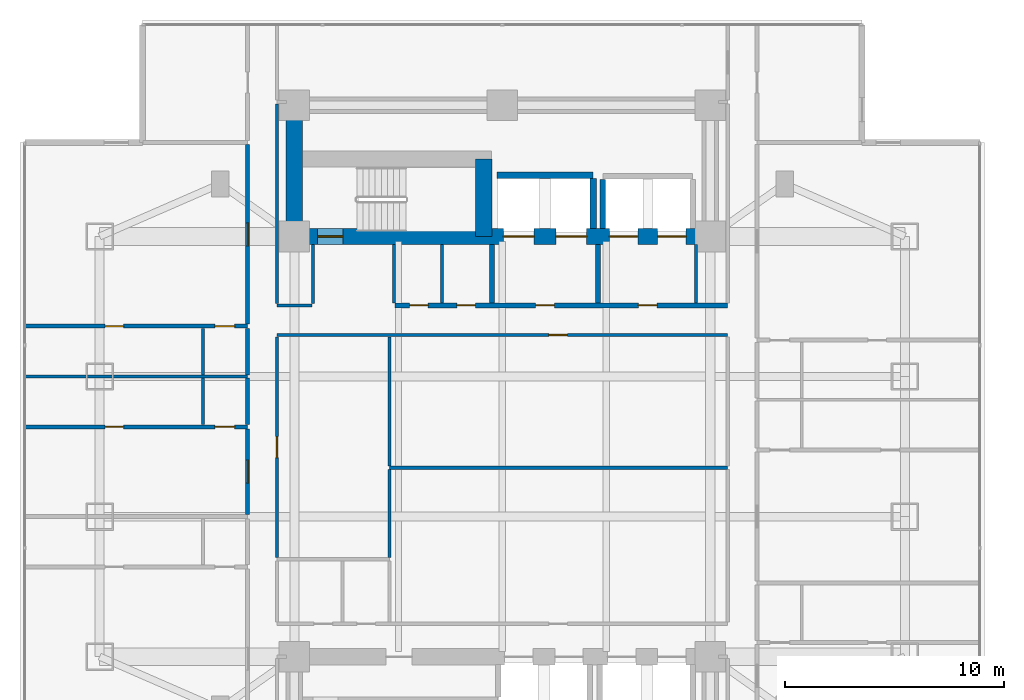
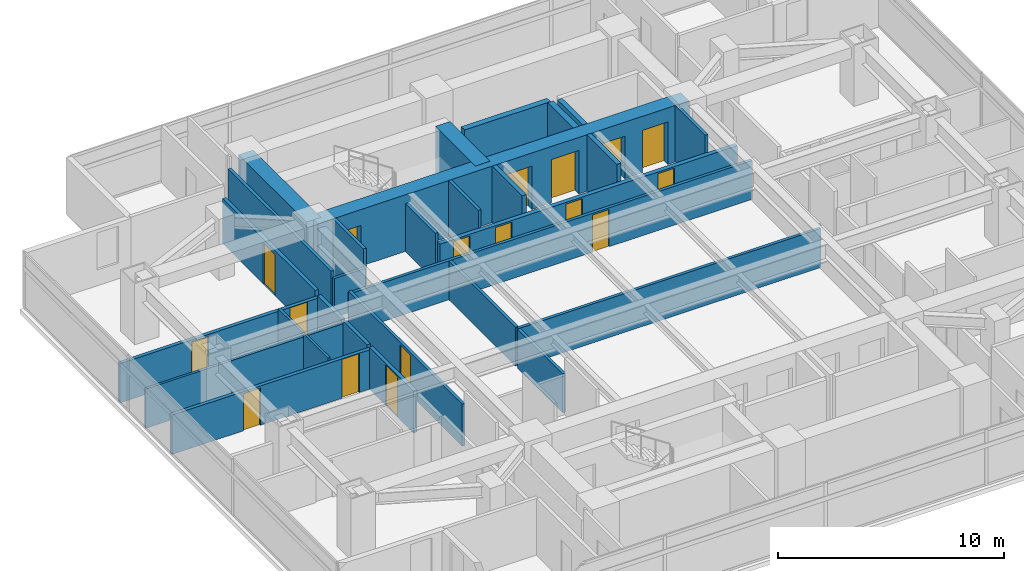
# One storey, part 14 of 25: 29 walls, 17 doors, 17 openings.
"""IFC4 building model written with IfcOpenShell, lengths in metres."""

from ifc_helpers import new_model, si_unit, direction, frame, frame_2d, origin, place, context, subcontext, project, spatial, rectangle, extrude, material, layer, layer_set, type_object, element, fill, save


model = new_model("IFC4")

# Units and contexts
model_context = context("Model", 3, precision=1e-05, world=origin(), true_north=direction((0.0, 1.0)))
body_context = subcontext(model_context, "Body", "Model", "MODEL_VIEW")
ifc_project = project(units=[si_unit("LENGTHUNIT", "METRE"), si_unit("AREAUNIT", "SQUARE_METRE"), si_unit("VOLUMEUNIT", "CUBIC_METRE"), si_unit("PLANEANGLEUNIT", "RADIAN"), si_unit("MASSUNIT", "GRAM", prefix="KILO")], contexts=[model_context])

# Site, building, storey
site_placement = place(None, origin())
site = spatial("IfcSite", under=ifc_project, at=site_placement, CompositionType="ELEMENT")
building_placement = place(site_placement, origin())
building = spatial("IfcBuilding", under=site, at=building_placement, Name="Mirazonda Arch Towers", CompositionType="ELEMENT")
storey_placement = place(building_placement, frame((0.0, 0.0, 32.300048828125)))
storey = spatial("IfcBuildingStorey", under=building, at=storey_placement, Name="L08", CompositionType="ELEMENT", Elevation=32.300048828125)

# Wall
ifc_material_1 = material(Name="Concrete C60/75", Category="concrete")
ifc_layer_1 = layer(ifc_material_1, 0.75, Name="WALL-CORE-750")
ifc_layer_set_1 = layer_set([ifc_layer_1], Name="Concrete C60/75")
wall_type_1 = type_object("IfcWallType", Name="WALL-CORE-750", PredefinedType="SHEAR", material=ifc_layer_set_1)
wall_1_placement = place(storey_placement, frame((11.0, 37.60009765625, 0.0), z_axis=(0.0, 0.0, 1.0), x_axis=(0.0, 1.0, 0.0)))
element("IfcWall", 1, at=wall_1_placement, inside=storey, type_object=wall_type_1, Name="L08 T1N-W Core Shear Wall", PredefinedType="SHEAR", context=body_context, shape_type="SweptSolid", body=[
    extrude(rectangle(XDim=6.0, YDim=0.75, at=frame_2d((3.0, 0.0))), origin(), (0.0, 0.0, 1.0), 3.06005859375),
])

# Wall, openings, doors
wall_2_placement = place(storey_placement, frame((11.0, 37.60009765625, 0.0), z_axis=(0.0, 0.0, 1.0), x_axis=(1.0, 0.0, 0.0)))
wall_2 = element("IfcWall", 2, at=wall_2_placement, inside=storey, type_object=wall_type_1, Name="L08 T1N-S Core Shear Wall", PredefinedType="SHEAR", context=body_context, shape_type="SweptSolid", body=[
    extrude(rectangle(XDim=19.0, YDim=0.75, at=frame_2d((9.5, 0.0))), origin(), (0.0, 0.0, 1.0), 3.06005859375),
])
opening_1_placement = place(wall_2_placement, frame((1.06005859375, 0.0, 0.0)))
opening_1 = element("IfcOpeningElement", 3, at=opening_1_placement, cuts=wall_2, Name="Opening DR-135", PredefinedType="OPENING", context=body_context, shape_type="SweptSolid", body=[
    extrude(rectangle(XDim=1.14990234375, YDim=2.199951171875, at=frame_2d((0.574951171875, 1.10009765625))), frame((0.0, 0.385009765625, 0.0), z_axis=(0.0, -1.0, 0.0), x_axis=(1.0, 0.0, 0.0)), (0.0, 0.0, 1.0), 0.77001953125),
])
opening_2_placement = place(wall_2_placement, frame((9.550048828125, 0.0, 0.0)))
opening_2 = element("IfcOpeningElement", 4, at=opening_2_placement, cuts=wall_2, Name="Opening LD-112", PredefinedType="OPENING", context=body_context, shape_type="SweptSolid", body=[
    extrude(rectangle(XDim=1.39990234375, YDim=2.35009765625, at=frame_2d((0.699951171875, 1.175048828125))), frame((0.0, 0.385009765625, 0.0), z_axis=(0.0, -1.0, 0.0), x_axis=(1.0, 0.0, 0.0)), (0.0, 0.0, 1.0), 0.77001953125),
])
opening_3_placement = place(wall_2_placement, frame((11.949951171875, 0.0, 0.0)))
opening_3 = element("IfcOpeningElement", 5, at=opening_3_placement, cuts=wall_2, Name="Opening LD-112", PredefinedType="OPENING", context=body_context, shape_type="SweptSolid", body=[
    extrude(rectangle(XDim=1.39990234375, YDim=2.35009765625, at=frame_2d((0.699951171875, 1.175048828125))), frame((0.0, 0.385009765625, 0.0), z_axis=(0.0, -1.0, 0.0), x_axis=(1.0, 0.0, 0.0)), (0.0, 0.0, 1.0), 0.77001953125),
])
opening_4_placement = place(wall_2_placement, frame((14.39990234375, 0.0, 0.0)))
opening_4 = element("IfcOpeningElement", 6, at=opening_4_placement, cuts=wall_2, Name="Opening LD-111", PredefinedType="OPENING", context=body_context, shape_type="SweptSolid", body=[
    extrude(rectangle(XDim=1.300048828125, YDim=2.300048828125, at=frame_2d((0.64990234375, 1.14990234375))), frame((0.0, 0.385009765625, 0.0), z_axis=(0.0, -1.0, 0.0), x_axis=(1.0, 0.0, 0.0)), (0.0, 0.0, 1.0), 0.77001953125),
])
opening_5_placement = place(wall_2_placement, frame((16.60009765625, 0.0, 0.0)))
opening_5 = element("IfcOpeningElement", 7, at=opening_5_placement, cuts=wall_2, Name="Opening LD-111", PredefinedType="OPENING", context=body_context, shape_type="SweptSolid", body=[
    extrude(rectangle(XDim=1.300048828125, YDim=2.300048828125, at=frame_2d((0.64990234375, 1.14990234375))), frame((0.0, 0.385009765625, 0.0), z_axis=(0.0, -1.0, 0.0), x_axis=(1.0, 0.0, 0.0)), (0.0, 0.0, 1.0), 0.77001953125),
])
ifc_material_2 = material(Name="Architectural Brushed Steel S355", Category="steel")
door_type_1 = type_object("IfcDoorType", Name="DOOR-LIFT-FFL-1400", OperationType="NOTDEFINED", PredefinedType="DOOR", material=ifc_material_2)
door_1_placement = place(opening_2_placement, origin())
door_1 = element("IfcDoor", 8, at=door_1_placement, inside=storey, type_object=door_type_1, Name="L08 Lift Landing Sliding Door FFL-T1", OperationType="DOUBLE_DOOR_SLIDING", OverallHeight=2.35009765625, OverallWidth=1.39990234375, PredefinedType="DOOR", context=body_context, shape_type="SweptSolid", body=[
    extrude(rectangle(XDim=1.39990234375, YDim=2.35009765625, at=frame_2d((0.699951171875, 1.175048828125))), frame((0.0, 0.02490234375, 0.0), z_axis=(0.0, -1.0, 0.0), x_axis=(1.0, 0.0, 0.0)), (0.0, 0.0, 1.0), 0.050048828125),
])
fill(opening_2, door_1)
door_2_placement = place(opening_3_placement, origin())
door_2 = element("IfcDoor", 9, at=door_2_placement, inside=storey, type_object=door_type_1, Name="L08 Lift Landing Sliding Door SVL-T1", OperationType="DOUBLE_DOOR_SLIDING", OverallHeight=2.35009765625, OverallWidth=1.39990234375, PredefinedType="DOOR", context=body_context, shape_type="SweptSolid", body=[
    extrude(rectangle(XDim=1.39990234375, YDim=2.35009765625, at=frame_2d((0.699951171875, 1.175048828125))), frame((0.0, 0.02490234375, 0.0), z_axis=(0.0, -1.0, 0.0), x_axis=(1.0, 0.0, 0.0)), (0.0, 0.0, 1.0), 0.050048828125),
])
fill(opening_3, door_2)
door_type_2 = type_object("IfcDoorType", Name="DOOR-LIFT-LAND-1300", OperationType="NOTDEFINED", PredefinedType="DOOR", material=ifc_material_2)
door_3_placement = place(opening_4_placement, origin())
door_3 = element("IfcDoor", 10, at=door_3_placement, inside=storey, type_object=door_type_2, Name="L08 Lift Landing Sliding Door PL-T1L1", OperationType="DOUBLE_DOOR_SLIDING", OverallHeight=2.300048828125, OverallWidth=1.300048828125, PredefinedType="DOOR", context=body_context, shape_type="SweptSolid", body=[
    extrude(rectangle(XDim=1.300048828125, YDim=2.300048828125, at=frame_2d((0.64990234375, 1.14990234375))), frame((0.0, 0.02490234375, 0.0), z_axis=(0.0, -1.0, 0.0), x_axis=(1.0, 0.0, 0.0)), (0.0, 0.0, 1.0), 0.050048828125),
])
fill(opening_4, door_3)
door_4_placement = place(opening_5_placement, origin())
door_4 = element("IfcDoor", 11, at=door_4_placement, inside=storey, type_object=door_type_2, Name="L08 Lift Landing Sliding Door PL-T1L2", OperationType="DOUBLE_DOOR_SLIDING", OverallHeight=2.300048828125, OverallWidth=1.300048828125, PredefinedType="DOOR", context=body_context, shape_type="SweptSolid", body=[
    extrude(rectangle(XDim=1.300048828125, YDim=2.300048828125, at=frame_2d((0.64990234375, 1.14990234375))), frame((0.0, 0.02490234375, 0.0), z_axis=(0.0, -1.0, 0.0), x_axis=(1.0, 0.0, 0.0)), (0.0, 0.0, 1.0), 0.050048828125),
])
fill(opening_5, door_4)
door_type_3 = type_object("IfcDoorType", Name="DOOR-STAIR-FD90-1150", OperationType="NOTDEFINED", PredefinedType="DOOR", material=ifc_material_2)
door_5_placement = place(opening_1_placement, origin())
door_5 = element("IfcDoor", 12, at=door_5_placement, inside=storey, type_object=door_type_3, Name="L08 Protected Exit Stair North Door", OperationType="SINGLE_SWING_LEFT", OverallHeight=2.199951171875, OverallWidth=1.14990234375, PredefinedType="DOOR", context=body_context, shape_type="SweptSolid", body=[
    extrude(rectangle(XDim=1.14990234375, YDim=2.199951171875, at=frame_2d((0.574951171875, 1.10009765625))), frame((0.0, 0.02490234375, 0.0), z_axis=(0.0, -1.0, 0.0), x_axis=(1.0, 0.0, 0.0)), (0.0, 0.0, 1.0), 0.050048828125),
])
fill(opening_1, door_5)

# Wall
wall_3_placement = place(storey_placement, frame((19.64990234375, 37.60009765625, 0.0), z_axis=(0.0, 0.0, 1.0), x_axis=(0.0, 1.0, 0.0)))
element("IfcWall", 13, at=wall_3_placement, inside=storey, type_object=wall_type_1, Name="L08 T1N-STE Core Shear Wall", PredefinedType="SHEAR", context=body_context, shape_type="SweptSolid", body=[
    extrude(rectangle(XDim=3.54296875, YDim=0.75, at=frame_2d((1.771484375, 0.0))), origin(), (0.0, 0.0, 1.0), 3.06005859375),
])

# Wall, openings, doors
ifc_material_3 = material(Name="Concrete C40/50", Category="concrete")
ifc_layer_2 = layer(ifc_material_3, 0.219970703125, Name="WALL-FFL-220")
ifc_layer_set_2 = layer_set([ifc_layer_2], Name="Concrete C40/50")
wall_type_2 = type_object("IfcWallType", Name="WALL-FFL-220", PredefinedType="SOLIDWALL", material=ifc_layer_set_2)
wall_4_placement = place(storey_placement, frame((15.590087890625, 34.449951171875, 0.0), z_axis=(0.0, 0.0, 1.0), x_axis=(1.0, 0.0, 0.0)))
wall_4 = element("IfcWall", 14, at=wall_4_placement, inside=storey, type_object=wall_type_2, Name="L08 Interior Partition 048", PredefinedType="SOLIDWALL", context=body_context, shape_type="SweptSolid", body=[
    extrude(rectangle(XDim=15.2099609375, YDim=0.219970703125, at=frame_2d((7.60498046875, 0.0))), origin(), (0.0, 0.0, 1.0), 2.10400390625),
])
opening_6_placement = place(wall_4_placement, frame((6.43505859375, 0.0, 0.0)))
opening_6 = element("IfcOpeningElement", 15, at=opening_6_placement, cuts=wall_4, Name="Opening DR-128", PredefinedType="OPENING", context=body_context, shape_type="SweptSolid", body=[
    extrude(rectangle(XDim=0.85009765625, YDim=2.010009765625, at=frame_2d((0.425048828125, 1.0048828125))), frame((0.0, 0.119873046875, 0.0), z_axis=(0.0, -1.0, 0.0), x_axis=(1.0, 0.0, 0.0)), (0.0, 0.0, 1.0), 0.239990234375),
])
opening_7_placement = place(wall_4_placement, frame((11.135009765625, 0.0, 0.0)))
opening_7 = element("IfcOpeningElement", 16, at=opening_7_placement, cuts=wall_4, Name="Opening DR-128", PredefinedType="OPENING", context=body_context, shape_type="SweptSolid", body=[
    extrude(rectangle(XDim=0.85009765625, YDim=2.010009765625, at=frame_2d((0.425048828125, 1.0048828125))), frame((0.0, 0.119873046875, 0.0), z_axis=(0.0, -1.0, 0.0), x_axis=(1.0, 0.0, 0.0)), (0.0, 0.0, 1.0), 0.239990234375),
])
opening_8_placement = place(wall_4_placement, frame((0.675048828125, 0.0, 0.0)))
opening_8 = element("IfcOpeningElement", 17, at=opening_8_placement, cuts=wall_4, Name="Opening DR-128", PredefinedType="OPENING", context=body_context, shape_type="SweptSolid", body=[
    extrude(rectangle(XDim=0.85009765625, YDim=2.010009765625, at=frame_2d((0.425048828125, 1.0048828125))), frame((0.0, 0.119873046875, 0.0), z_axis=(0.0, -1.0, 0.0), x_axis=(1.0, 0.0, 0.0)), (0.0, 0.0, 1.0), 0.239990234375),
])
opening_9_placement = place(wall_4_placement, frame((2.8349609375, 0.0, 0.0)))
opening_9 = element("IfcOpeningElement", 18, at=opening_9_placement, cuts=wall_4, Name="Opening DR-128", PredefinedType="OPENING", context=body_context, shape_type="SweptSolid", body=[
    extrude(rectangle(XDim=0.85009765625, YDim=2.010009765625, at=frame_2d((0.425048828125, 1.0048828125))), frame((0.0, 0.119873046875, 0.0), z_axis=(0.0, -1.0, 0.0), x_axis=(1.0, 0.0, 0.0)), (0.0, 0.0, 1.0), 0.239990234375),
])
door_type_4 = type_object("IfcDoorType", Name="DOOR-RISER-FD60-850", OperationType="NOTDEFINED", PredefinedType="DOOR", material=ifc_material_2)
door_6_placement = place(opening_6_placement, origin())
door_6 = element("IfcDoor", 19, at=door_6_placement, inside=storey, type_object=door_type_4, Name="L08 Firefighting Lift Lobby Door", OperationType="SINGLE_SWING_RIGHT", OverallHeight=2.010009765625, OverallWidth=0.85009765625, PredefinedType="DOOR", context=body_context, shape_type="SweptSolid", body=[
    extrude(rectangle(XDim=0.85009765625, YDim=2.010009765625, at=frame_2d((0.425048828125, 1.0048828125))), frame((0.0, 0.02490234375, 0.0), z_axis=(0.0, -1.0, 0.0), x_axis=(1.0, 0.0, 0.0)), (0.0, 0.0, 1.0), 0.050048828125),
])
fill(opening_6, door_6)
door_7_placement = place(opening_7_placement, origin())
door_7 = element("IfcDoor", 20, at=door_7_placement, inside=storey, type_object=door_type_4, Name="L08 Passenger Lift Lobby North Door", OperationType="SINGLE_SWING_LEFT", OverallHeight=2.010009765625, OverallWidth=0.85009765625, PredefinedType="DOOR", context=body_context, shape_type="SweptSolid", body=[
    extrude(rectangle(XDim=0.85009765625, YDim=2.010009765625, at=frame_2d((0.425048828125, 1.0048828125))), frame((0.0, 0.02490234375, 0.0), z_axis=(0.0, -1.0, 0.0), x_axis=(1.0, 0.0, 0.0)), (0.0, 0.0, 1.0), 0.050048828125),
])
fill(opening_7, door_7)
door_8_placement = place(opening_8_placement, origin())
door_8 = element("IfcDoor", 21, at=door_8_placement, inside=storey, type_object=door_type_4, Name="L08 Electrical Room Door", OperationType="SINGLE_SWING_RIGHT", OverallHeight=2.010009765625, OverallWidth=0.85009765625, PredefinedType="DOOR", context=body_context, shape_type="SweptSolid", body=[
    extrude(rectangle(XDim=0.85009765625, YDim=2.010009765625, at=frame_2d((0.425048828125, 1.0048828125))), frame((0.0, 0.02490234375, 0.0), z_axis=(0.0, -1.0, 0.0), x_axis=(1.0, 0.0, 0.0)), (0.0, 0.0, 1.0), 0.050048828125),
])
fill(opening_8, door_8)
door_9_placement = place(opening_9_placement, origin())
door_9 = element("IfcDoor", 22, at=door_9_placement, inside=storey, type_object=door_type_4, Name="L08 Cleaners & Housekeeping Store Door", OperationType="SINGLE_SWING_LEFT", OverallHeight=2.010009765625, OverallWidth=0.85009765625, PredefinedType="DOOR", context=body_context, shape_type="SweptSolid", body=[
    extrude(rectangle(XDim=0.85009765625, YDim=2.010009765625, at=frame_2d((0.425048828125, 1.0048828125))), frame((0.0, 0.02490234375, 0.0), z_axis=(0.0, -1.0, 0.0), x_axis=(1.0, 0.0, 0.0)), (0.0, 0.0, 1.0), 0.050048828125),
])
fill(opening_9, door_9)

# Walls
for number, where, z_axis, x_axis, name in (
    (23, (20.02490234375, 34.570068359375, 0.0), (0.0, 0.0, 1.0), (0.0, 1.0, 0.0), "L08 Interior Partition 089"),
    (24, (24.875, 34.570068359375, 0.0), (0.0, 0.0, 1.0), (0.0, 1.0, 0.0), "L08 Interior Partition 095"),
):
    element("IfcWall", number, at=place(storey_placement, frame(where, z_axis=z_axis, x_axis=x_axis)), inside=storey, type_object=wall_type_2, Name=name, PredefinedType="SOLIDWALL", context=body_context, shape_type="SweptSolid", body=[
        extrude(rectangle(XDim=2.659912109375, YDim=0.219970703125, at=frame_2d((1.330078125, 0.0))), origin(), (0.0, 0.0, 1.0), 3.06005859375),
    ])
ifc_material_4 = material(Name="Fire-Rated Gypsum Stud Partition")
ifc_layer_3 = layer(ifc_material_4, 0.14990234375, Name="WALL-PART-CORR-150")
ifc_layer_set_3 = layer_set([ifc_layer_3], Name="Fire-Rated Gypsum Stud Partition")
wall_type_3 = type_object("IfcWallType", Name="WALL-PART-CORR-150", PredefinedType="PARTITIONING", material=ifc_layer_set_3)
wall_5_placement = place(storey_placement, frame((15.35009765625, 27.028076171875, 0.0), z_axis=(0.0, 0.0, 1.0), x_axis=(1.0, 0.0, 0.0)))
element("IfcWall", 25, at=wall_5_placement, inside=storey, type_object=wall_type_3, Name="L08 Interior Partition 032", PredefinedType="PARTITIONING", context=body_context, shape_type="SweptSolid", body=[
    extrude(rectangle(XDim=15.449951171875, YDim=0.14990234375, at=frame_2d((7.72509765625, 0.0))), origin(), (0.0, 0.0, 1.0), 2.10400390625),
])

# Wall, opening, door
wall_6_placement = place(storey_placement, frame((10.199951171875, 33.10009765625, 0.0), z_axis=(0.0, 0.0, 1.0), x_axis=(1.0, 0.0, 0.0)))
wall_6 = element("IfcWall", 26, at=wall_6_placement, inside=storey, type_object=wall_type_3, Name="L08 Interior Partition 045", PredefinedType="PARTITIONING", context=body_context, shape_type="SweptSolid", body=[
    extrude(rectangle(XDim=20.60009765625, YDim=0.14990234375, at=frame_2d((10.300048828125, 0.0))), origin(), (0.0, 0.0, 1.0), 2.10400390625),
])
opening_10_placement = place(wall_6_placement, frame((12.429931640625, 0.0, 0.0)))
opening_10 = element("IfcOpeningElement", 27, at=opening_10_placement, cuts=wall_6, Name="Opening DR-128", PredefinedType="OPENING", context=body_context, shape_type="SweptSolid", body=[
    extrude(rectangle(XDim=0.85009765625, YDim=2.010009765625, at=frame_2d((0.425048828125, 1.0048828125))), frame((0.0, 0.0849609375, 0.0), z_axis=(0.0, -1.0, 0.0), x_axis=(1.0, 0.0, 0.0)), (0.0, 0.0, 1.0), 0.169921875),
])
door_10_placement = place(opening_10_placement, origin())
door_10 = element("IfcDoor", 28, at=door_10_placement, inside=storey, type_object=door_type_4, Name="L08 Concierge Salon Door", OperationType="SINGLE_SWING_RIGHT", OverallHeight=2.010009765625, OverallWidth=0.85009765625, PredefinedType="DOOR", context=body_context, shape_type="SweptSolid", body=[
    extrude(rectangle(XDim=0.85009765625, YDim=2.010009765625, at=frame_2d((0.425048828125, 1.0048828125))), frame((0.0, 0.02490234375, 0.0), z_axis=(0.0, -1.0, 0.0), x_axis=(1.0, 0.0, 0.0)), (0.0, 0.0, 1.0), 0.050048828125),
])
fill(opening_10, door_10)

# Wall
wall_7_placement = place(storey_placement, frame((10.199951171875, 34.449951171875, 0.0), z_axis=(0.0, 0.0, 1.0), x_axis=(1.0, 0.0, 0.0)))
element("IfcWall", 29, at=wall_7_placement, inside=storey, type_object=wall_type_3, Name="L08 Interior Partition 047", PredefinedType="PARTITIONING", context=body_context, shape_type="SweptSolid", body=[
    extrude(rectangle(XDim=1.60009765625, YDim=0.14990234375, at=frame_2d((0.800048828125, 0.0))), origin(), (0.0, 0.0, 1.0), 2.10400390625),
])

# Wall, opening, door
wall_8_placement = place(storey_placement, frame((10.206787109375, 22.93505859375, 0.0), z_axis=(0.0, 0.0, 1.0), x_axis=(0.0, 1.0, 0.0)))
wall_8 = element("IfcWall", 30, at=wall_8_placement, inside=storey, type_object=wall_type_3, Name="L08 Interior Partition 077", PredefinedType="PARTITIONING", context=body_context, shape_type="SweptSolid", body=[
    extrude(rectangle(XDim=10.079833984375, YDim=0.14990234375, at=frame_2d((5.0400390625, 0.0))), origin(), (0.0, 0.0, 1.0), 2.279052734375),
])
opening_11_placement = place(wall_8_placement, frame((4.56494140625, 0.0, 0.0)))
opening_11 = element("IfcOpeningElement", 31, at=opening_11_placement, cuts=wall_8, Name="Opening DR-104", PredefinedType="OPENING", context=body_context, shape_type="SweptSolid", body=[
    extrude(rectangle(XDim=0.949951171875, YDim=2.14990234375, at=frame_2d((0.47509765625, 1.074951171875))), frame((0.0, 0.0849609375, 0.0), z_axis=(0.0, -1.0, 0.0), x_axis=(1.0, 0.0, 0.0)), (0.0, 0.0, 1.0), 0.169921875),
])
door_type_5 = type_object("IfcDoorType", Name="DOOR-ROOM-950", OperationType="NOTDEFINED", PredefinedType="DOOR", material=ifc_material_2)
door_11_placement = place(opening_11_placement, origin())
door_11 = element("IfcDoor", 32, at=door_11_placement, inside=storey, type_object=door_type_5, Name="L08 L08 West Courtyard Salon Door", OperationType="SINGLE_SWING_RIGHT", OverallHeight=2.14990234375, OverallWidth=0.949951171875, PredefinedType="DOOR", context=body_context, shape_type="SweptSolid", body=[
    extrude(rectangle(XDim=0.949951171875, YDim=2.14990234375, at=frame_2d((0.47509765625, 1.074951171875))), frame((0.0, 0.02490234375, 0.0), z_axis=(0.0, -1.0, 0.0), x_axis=(1.0, 0.0, 0.0)), (0.0, 0.0, 1.0), 0.050048828125),
])
fill(opening_11, door_11)

# Walls
wall_9_placement = place(storey_placement, frame((10.199951171875, 34.534912109375, 0.0), z_axis=(0.0, 0.0, 1.0), x_axis=(0.0, 1.0, 0.0)))
element("IfcWall", 33, at=wall_9_placement, inside=storey, type_object=wall_type_3, Name="L08 Interior Partition 078", PredefinedType="PARTITIONING", context=body_context, shape_type="SweptSolid", body=[
    extrude(rectangle(XDim=9.130126953125, YDim=0.14990234375, at=frame_2d((4.56494140625, 0.0))), origin(), (0.0, 0.0, 1.0), 2.43603515625),
])
wall_10_placement = place(storey_placement, frame((11.85009765625, 34.534912109375, 0.0), z_axis=(0.0, 0.0, 1.0), x_axis=(0.0, 1.0, 0.0)))
element("IfcWall", 34, at=wall_10_placement, inside=storey, type_object=wall_type_3, Name="L08 Interior Partition 080", PredefinedType="PARTITIONING", context=body_context, shape_type="SweptSolid", body=[
    extrude(rectangle(XDim=2.695068359375, YDim=0.14990234375, at=frame_2d((1.34765625, 0.0))), origin(), (0.0, 0.0, 1.0), 3.06005859375),
])
wall_11_placement = place(storey_placement, frame((15.35009765625, 22.93505859375, 0.0), z_axis=(0.0, 0.0, 1.0), x_axis=(0.0, 1.0, 0.0)))
element("IfcWall", 35, at=wall_11_placement, inside=storey, type_object=wall_type_3, Name="L08 Interior Partition 083", PredefinedType="PARTITIONING", context=body_context, shape_type="SweptSolid", body=[
    extrude(rectangle(XDim=4.008056640625, YDim=0.14990234375, at=frame_2d((2.00390625, 0.0))), origin(), (0.0, 0.0, 1.0), 2.10400390625),
])
wall_12_placement = place(storey_placement, frame((15.35009765625, 27.113037109375, 0.0), z_axis=(0.0, 0.0, 1.0), x_axis=(0.0, 1.0, 0.0)))
element("IfcWall", 36, at=wall_12_placement, inside=storey, type_object=wall_type_3, Name="L08 Interior Partition 084", PredefinedType="PARTITIONING", context=body_context, shape_type="SweptSolid", body=[
    extrude(rectangle(XDim=5.90185546875, YDim=0.14990234375, at=frame_2d((2.950927734375, 0.0))), origin(), (0.0, 0.0, 1.0), 2.10400390625),
])
wall_13_placement = place(storey_placement, frame((15.550048828125, 34.570068359375, 0.0), z_axis=(0.0, 0.0, 1.0), x_axis=(0.0, 1.0, 0.0)))
element("IfcWall", 37, at=wall_13_placement, inside=storey, type_object=wall_type_3, Name="L08 Interior Partition 085", PredefinedType="PARTITIONING", context=body_context, shape_type="SweptSolid", body=[
    extrude(rectangle(XDim=2.659912109375, YDim=0.14990234375, at=frame_2d((1.330078125, 0.0))), origin(), (0.0, 0.0, 1.0), 2.5888671875),
])
for number, where, z_axis, x_axis, name in (
    (38, (17.75, 34.570068359375, 0.0), (0.0, 0.0, 1.0), (0.0, 1.0, 0.0), "L08 Interior Partition 087"),
    (39, (29.35009765625, 34.570068359375, 0.0), (0.0, 0.0, 1.0), (0.0, 1.0, 0.0), "L08 Interior Partition 098"),
):
    element("IfcWall", number, at=place(storey_placement, frame(where, z_axis=z_axis, x_axis=x_axis)), inside=storey, type_object=wall_type_3, Name=name, PredefinedType="PARTITIONING", context=body_context, shape_type="SweptSolid", body=[
        extrude(rectangle(XDim=2.659912109375, YDim=0.14990234375, at=frame_2d((1.330078125, 0.0))), origin(), (0.0, 0.0, 1.0), 3.06005859375),
    ])

# Wall, openings, doors
ifc_material_5 = material(Name="Fire-Rated Gypsum Twin-Stud Assembly")
ifc_layer_4 = layer(ifc_material_5, 0.179931640625, Name="WALL-PART-DEMISE-180")
ifc_layer_set_4 = layer_set([ifc_layer_4], Name="Fire-Rated Gypsum Twin-Stud Assembly")
wall_type_4 = type_object("IfcWallType", Name="WALL-PART-DEMISE-180", PredefinedType="PARTITIONING", material=ifc_layer_set_4)
wall_14_placement = place(storey_placement, frame((-1.320068359375, 28.89990234375, 0.0), z_axis=(0.0, 0.0, 1.0), x_axis=(1.0, 0.0, 0.0)))
wall_14 = element("IfcWall", 40, at=wall_14_placement, inside=storey, type_object=wall_type_4, Name="L08 Interior Partition 035", PredefinedType="PARTITIONING", context=body_context, shape_type="SweptSolid", body=[
    extrude(rectangle(XDim=10.18017578125, YDim=0.179931640625, at=frame_2d((5.090087890625, 0.0))), origin(), (0.0, 0.0, 1.0), 2.125),
])
opening_12_placement = place(wall_14_placement, frame((3.6650390625, 0.0, 0.0)))
opening_12 = element("IfcOpeningElement", 41, at=opening_12_placement, cuts=wall_14, Name="Opening DR-128", PredefinedType="OPENING", context=body_context, shape_type="SweptSolid", body=[
    extrude(rectangle(XDim=0.85009765625, YDim=2.010009765625, at=frame_2d((0.425048828125, 1.0048828125))), frame((0.0, 0.099853515625, 0.0), z_axis=(0.0, -1.0, 0.0), x_axis=(1.0, 0.0, 0.0)), (0.0, 0.0, 1.0), 0.199951171875),
])
opening_13_placement = place(wall_14_placement, frame((8.68994140625, 0.0, 0.0)))
opening_13 = element("IfcOpeningElement", 42, at=opening_13_placement, cuts=wall_14, Name="Opening DR-120", PredefinedType="OPENING", context=body_context, shape_type="SweptSolid", body=[
    extrude(rectangle(XDim=0.89990234375, YDim=2.10009765625, at=frame_2d((0.449951171875, 1.050048828125))), frame((0.0, 0.099853515625, 0.0), z_axis=(0.0, -1.0, 0.0), x_axis=(1.0, 0.0, 0.0)), (0.0, 0.0, 1.0), 0.199951171875),
])
door_12_placement = place(opening_12_placement, origin())
door_12 = element("IfcDoor", 43, at=door_12_placement, inside=storey, type_object=door_type_4, Name="L08 Suite Bedroom 2 Door", OperationType="SINGLE_SWING_LEFT", OverallHeight=2.010009765625, OverallWidth=0.85009765625, PredefinedType="DOOR", context=body_context, shape_type="SweptSolid", body=[
    extrude(rectangle(XDim=0.85009765625, YDim=2.010009765625, at=frame_2d((0.425048828125, 1.0048828125))), frame((0.0, 0.02490234375, 0.0), z_axis=(0.0, -1.0, 0.0), x_axis=(1.0, 0.0, 0.0)), (0.0, 0.0, 1.0), 0.050048828125),
])
fill(opening_12, door_12)
door_type_6 = type_object("IfcDoorType", Name="DOOR-WC-900", OperationType="NOTDEFINED", PredefinedType="DOOR", material=ifc_material_2)
door_13_placement = place(opening_13_placement, origin())
door_13 = element("IfcDoor", 44, at=door_13_placement, inside=storey, type_object=door_type_6, Name="L08 Suite En-Suite Bathroom 2 Door", OperationType="SINGLE_SWING_RIGHT", OverallHeight=2.10009765625, OverallWidth=0.89990234375, PredefinedType="DOOR", context=body_context, shape_type="SweptSolid", body=[
    extrude(rectangle(XDim=0.89990234375, YDim=2.10009765625, at=frame_2d((0.449951171875, 1.050048828125))), frame((0.0, 0.02490234375, 0.0), z_axis=(0.0, -1.0, 0.0), x_axis=(1.0, 0.0, 0.0)), (0.0, 0.0, 1.0), 0.050048828125),
])
fill(opening_13, door_13)

wall_15_placement = place(storey_placement, frame((-1.320068359375, 33.5, 0.0), z_axis=(0.0, 0.0, 1.0), x_axis=(1.0, 0.0, 0.0)))
wall_15 = element("IfcWall", 45, at=wall_15_placement, inside=storey, type_object=wall_type_4, Name="L08 Interior Partition 046", PredefinedType="PARTITIONING", context=body_context, shape_type="SweptSolid", body=[
    extrude(rectangle(XDim=10.18017578125, YDim=0.179931640625, at=frame_2d((5.090087890625, 0.0))), origin(), (0.0, 0.0, 1.0), 2.125),
])
opening_14_placement = place(wall_15_placement, frame((3.6650390625, 0.0, 0.0)))
opening_14 = element("IfcOpeningElement", 46, at=opening_14_placement, cuts=wall_15, Name="Opening DR-128", PredefinedType="OPENING", context=body_context, shape_type="SweptSolid", body=[
    extrude(rectangle(XDim=0.85009765625, YDim=2.010009765625, at=frame_2d((0.425048828125, 1.0048828125))), frame((0.0, 0.099853515625, 0.0), z_axis=(0.0, -1.0, 0.0), x_axis=(1.0, 0.0, 0.0)), (0.0, 0.0, 1.0), 0.199951171875),
])
opening_15_placement = place(wall_15_placement, frame((8.68994140625, 0.0, 0.0)))
opening_15 = element("IfcOpeningElement", 47, at=opening_15_placement, cuts=wall_15, Name="Opening DR-120", PredefinedType="OPENING", context=body_context, shape_type="SweptSolid", body=[
    extrude(rectangle(XDim=0.89990234375, YDim=2.10009765625, at=frame_2d((0.449951171875, 1.050048828125))), frame((0.0, 0.099853515625, 0.0), z_axis=(0.0, -1.0, 0.0), x_axis=(1.0, 0.0, 0.0)), (0.0, 0.0, 1.0), 0.199951171875),
])
door_14_placement = place(opening_14_placement, origin())
door_14 = element("IfcDoor", 48, at=door_14_placement, inside=storey, type_object=door_type_4, Name="L08 Suite Bedroom 3 Door", OperationType="SINGLE_SWING_RIGHT", OverallHeight=2.010009765625, OverallWidth=0.85009765625, PredefinedType="DOOR", context=body_context, shape_type="SweptSolid", body=[
    extrude(rectangle(XDim=0.85009765625, YDim=2.010009765625, at=frame_2d((0.425048828125, 1.0048828125))), frame((0.0, 0.02490234375, 0.0), z_axis=(0.0, -1.0, 0.0), x_axis=(1.0, 0.0, 0.0)), (0.0, 0.0, 1.0), 0.050048828125),
])
fill(opening_14, door_14)
door_15_placement = place(opening_15_placement, origin())
door_15 = element("IfcDoor", 49, at=door_15_placement, inside=storey, type_object=door_type_6, Name="L08 Suite En-Suite Bathroom 3 Door", OperationType="SINGLE_SWING_LEFT", OverallHeight=2.10009765625, OverallWidth=0.89990234375, PredefinedType="DOOR", context=body_context, shape_type="SweptSolid", body=[
    extrude(rectangle(XDim=0.89990234375, YDim=2.10009765625, at=frame_2d((0.449951171875, 1.050048828125))), frame((0.0, 0.02490234375, 0.0), z_axis=(0.0, -1.0, 0.0), x_axis=(1.0, 0.0, 0.0)), (0.0, 0.0, 1.0), 0.050048828125),
])
fill(opening_15, door_15)

# Wall, opening, door
wall_16_placement = place(storey_placement, frame((8.860107421875, 24.89990234375, 0.0), z_axis=(0.0, 0.0, 1.0), x_axis=(0.0, 1.0, 0.0)))
wall_16 = element("IfcWall", 50, at=wall_16_placement, inside=storey, type_object=wall_type_4, Name="L08 Interior Partition 069", PredefinedType="PARTITIONING", context=body_context, shape_type="SweptSolid", body=[
    extrude(rectangle(XDim=3.900146484375, YDim=0.179931640625, at=frame_2d((1.9501953125, 0.0))), origin(), (0.0, 0.0, 1.0), 2.279052734375),
])
opening_16_placement = place(wall_16_placement, frame((1.425048828125, 0.0, 0.0)))
opening_16 = element("IfcOpeningElement", 51, at=opening_16_placement, cuts=wall_16, Name="Opening DR-121", PredefinedType="OPENING", context=body_context, shape_type="SweptSolid", body=[
    extrude(rectangle(XDim=1.050048828125, YDim=2.199951171875, at=frame_2d((0.52490234375, 1.10009765625))), frame((0.0, 0.099853515625, 0.0), z_axis=(0.0, -1.0, 0.0), x_axis=(1.0, 0.0, 0.0)), (0.0, 0.0, 1.0), 0.199951171875),
])
door_type_7 = type_object("IfcDoorType", Name="DOOR-SUITE-FD60-1050", OperationType="NOTDEFINED", PredefinedType="DOOR", material=ifc_material_2)
door_16_placement = place(opening_16_placement, origin())
door_16 = element("IfcDoor", 52, at=door_16_placement, inside=storey, type_object=door_type_7, Name="L08 Deluxe Suite Living Room 2 Door", OperationType="SINGLE_SWING_RIGHT", OverallHeight=2.199951171875, OverallWidth=1.050048828125, PredefinedType="DOOR", context=body_context, shape_type="SweptSolid", body=[
    extrude(rectangle(XDim=1.050048828125, YDim=2.199951171875, at=frame_2d((0.52490234375, 1.10009765625))), frame((0.0, 0.02490234375, 0.0), z_axis=(0.0, -1.0, 0.0), x_axis=(1.0, 0.0, 0.0)), (0.0, 0.0, 1.0), 0.050048828125),
])
fill(opening_16, door_16)

# Walls
for number, where, z_axis, x_axis, name in (
    (53, (8.860107421875, 29.0, 0.0), (0.0, 0.0, 1.0), (0.0, 1.0, 0.0), "L08 Interior Partition 070"),
    (54, (8.860107421875, 31.2724609375, 0.0), (0.0, 0.0, 1.0), (0.0, 1.0, 0.0), "L08 Interior Partition 071"),
):
    element("IfcWall", number, at=place(storey_placement, frame(where, z_axis=z_axis, x_axis=x_axis)), inside=storey, type_object=wall_type_4, Name=name, PredefinedType="PARTITIONING", context=body_context, shape_type="SweptSolid", body=[
        extrude(rectangle(XDim=2.12744140625, YDim=0.179931640625, at=frame_2d((1.063720703125, 0.0))), origin(), (0.0, 0.0, 1.0), 2.279052734375),
    ])

# Wall, opening, door
wall_17_placement = place(storey_placement, frame((8.860107421875, 33.60009765625, 0.0), z_axis=(0.0, 0.0, 1.0), x_axis=(0.0, 1.0, 0.0)))
wall_17 = element("IfcWall", 55, at=wall_17_placement, inside=storey, type_object=wall_type_4, Name="L08 Interior Partition 072", PredefinedType="PARTITIONING", context=body_context, shape_type="SweptSolid", body=[
    extrude(rectangle(XDim=8.19384765625, YDim=0.179931640625, at=frame_2d((4.096923828125, 0.0))), origin(), (0.0, 0.0, 1.0), 2.43603515625),
])
opening_17_placement = place(wall_17_placement, frame((3.572021484375, 0.0, 0.0)))
opening_17 = element("IfcOpeningElement", 56, at=opening_17_placement, cuts=wall_17, Name="Opening DR-121", PredefinedType="OPENING", context=body_context, shape_type="SweptSolid", body=[
    extrude(rectangle(XDim=1.050048828125, YDim=2.199951171875, at=frame_2d((0.52490234375, 1.10009765625))), frame((0.0, 0.099853515625, 0.0), z_axis=(0.0, -1.0, 0.0), x_axis=(1.0, 0.0, 0.0)), (0.0, 0.0, 1.0), 0.199951171875),
])
door_17_placement = place(opening_17_placement, origin())
door_17 = element("IfcDoor", 57, at=door_17_placement, inside=storey, type_object=door_type_7, Name="L08 Presidential Hotel Suite 3 Door", OperationType="SINGLE_SWING_LEFT", OverallHeight=2.199951171875, OverallWidth=1.050048828125, PredefinedType="DOOR", context=body_context, shape_type="SweptSolid", body=[
    extrude(rectangle(XDim=1.050048828125, YDim=2.199951171875, at=frame_2d((0.52490234375, 1.10009765625))), frame((0.0, 0.02490234375, 0.0), z_axis=(0.0, -1.0, 0.0), x_axis=(1.0, 0.0, 0.0)), (0.0, 0.0, 1.0), 0.050048828125),
])
fill(opening_17, door_17)

# Walls
ifc_material_6 = material(Name="Acoustic Fire-Rated Gypsum Partition")
ifc_layer_5 = layer(ifc_material_6, 0.125, Name="WALL-PART-UNIT-125")
ifc_layer_set_5 = layer_set([ifc_layer_5], Name="Acoustic Fire-Rated Gypsum Partition")
wall_type_5 = type_object("IfcWallType", Name="WALL-PART-UNIT-125", PredefinedType="PARTITIONING", material=ifc_layer_set_5)
wall_18_placement = place(storey_placement, frame((-1.320068359375, 31.199951171875, 0.0), z_axis=(0.0, 0.0, 1.0), x_axis=(1.0, 0.0, 0.0)))
element("IfcWall", 58, at=wall_18_placement, inside=storey, type_object=wall_type_5, Name="L08 Interior Partition 040", PredefinedType="PARTITIONING", context=body_context, shape_type="SweptSolid", body=[
    extrude(rectangle(XDim=10.18017578125, YDim=0.125, at=frame_2d((5.090087890625, 0.0))), origin(), (0.0, 0.0, 1.0), 2.125),
])
for number, where, z_axis, x_axis, name in (
    (59, (6.820068359375, 29.0, 0.0), (0.0, 0.0, 1.0), (0.0, 1.0, 0.0), "L08 Interior Partition 064"),
    (60, (6.820068359375, 31.2724609375, 0.0), (0.0, 0.0, 1.0), (0.0, 1.0, 0.0), "L08 Interior Partition 065"),
):
    element("IfcWall", number, at=place(storey_placement, frame(where, z_axis=z_axis, x_axis=x_axis)), inside=storey, type_object=wall_type_5, Name=name, PredefinedType="PARTITIONING", context=body_context, shape_type="SweptSolid", body=[
        extrude(rectangle(XDim=2.12744140625, YDim=0.125, at=frame_2d((1.063720703125, 0.0))), origin(), (0.0, 0.0, 1.0), 2.279052734375),
    ])
ifc_layer_6 = layer(ifc_material_3, 0.25, Name="WALL-SHAFT-250")
ifc_layer_set_6 = layer_set([ifc_layer_6], Name="Concrete C40/50")
wall_type_6 = type_object("IfcWallType", Name="WALL-SHAFT-250", PredefinedType="SOLIDWALL", material=ifc_layer_set_6)
wall_19_placement = place(storey_placement, frame((25.10009765625, 37.969970703125, 0.0), z_axis=(0.0, 0.0, 1.0), x_axis=(0.0, 1.0, 0.0)))
element("IfcWall", 61, at=wall_19_placement, inside=storey, type_object=wall_type_6, Name="L08 Interior Partition 096", PredefinedType="SOLIDWALL", context=body_context, shape_type="SweptSolid", body=[
    extrude(rectangle(XDim=2.2451171875, YDim=0.25, at=frame_2d((1.12255859375, 0.0))), origin(), (0.0, 0.0, 1.0), 3.06005859375),
])
ifc_material_7 = material(Name="Concrete C50/60", Category="concrete")
ifc_layer_7 = layer(ifc_material_7, 0.300048828125, Name="WALL-SHAFT-300")
ifc_layer_set_7 = layer_set([ifc_layer_7], Name="Concrete C50/60")
wall_type_7 = type_object("IfcWallType", Name="WALL-SHAFT-300", PredefinedType="SOLIDWALL", material=ifc_layer_set_7)
wall_20_placement = place(storey_placement, frame((20.25, 40.39990234375, 0.0), z_axis=(0.0, 0.0, 1.0), x_axis=(1.0, 0.0, 0.0)))
element("IfcWall", 62, at=wall_20_placement, inside=storey, type_object=wall_type_7, Name="L08 Interior Partition 058", PredefinedType="SOLIDWALL", context=body_context, shape_type="SweptSolid", body=[
    extrude(rectangle(XDim=4.39990234375, YDim=0.300048828125, at=frame_2d((2.199951171875, 0.0))), origin(), (0.0, 0.0, 1.0), 3.06005859375),
])
wall_21_placement = place(storey_placement, frame((24.64990234375, 37.969970703125, 0.0), z_axis=(0.0, 0.0, 1.0), x_axis=(0.0, 1.0, 0.0)))
element("IfcWall", 63, at=wall_21_placement, inside=storey, type_object=wall_type_7, Name="L08 Interior Partition 093", PredefinedType="SOLIDWALL", context=body_context, shape_type="SweptSolid", body=[
    extrude(rectangle(XDim=2.27001953125, YDim=0.300048828125, at=frame_2d((1.135009765625, 0.0))), origin(), (0.0, 0.0, 1.0), 3.06005859375),
])

save(model, "model.ifc")
